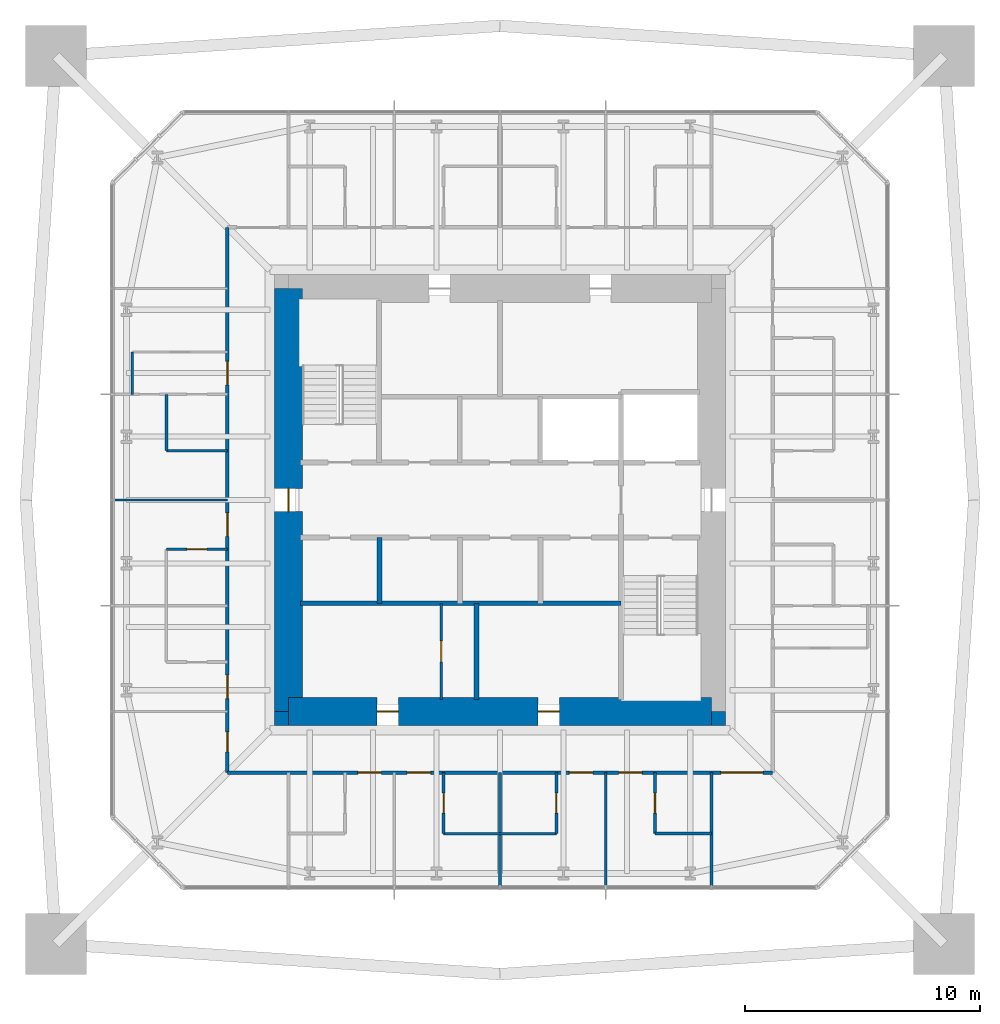
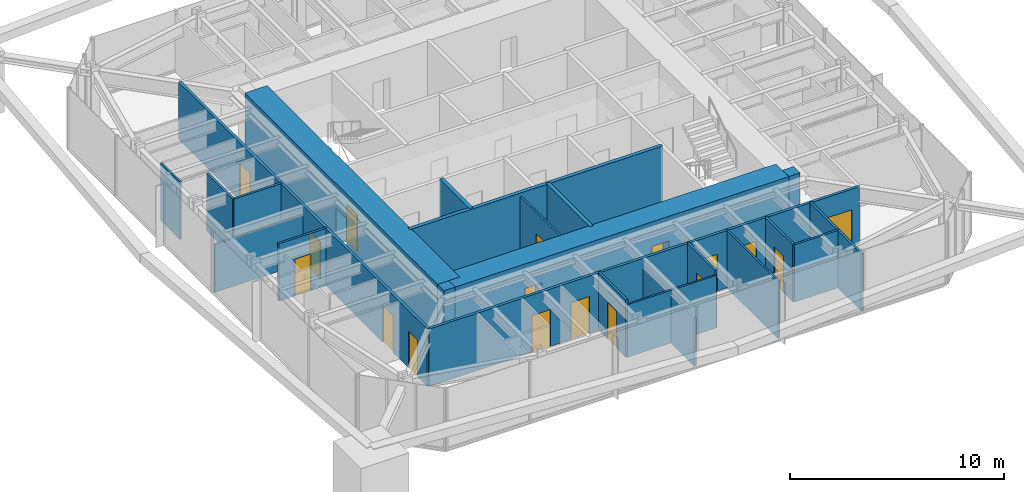
# One storey, part 7 of 11: 23 walls, 17 doors, 17 openings.
"""IFC4 building model written with IfcOpenShell, lengths in metres."""

from ifc_helpers import new_model, si_unit, direction, frame, frame_2d, origin, place, context, subcontext, project, spatial, rectangle, extrude, material, layer, layer_set, type_object, element, fill, save


model = new_model("IFC4")

# Units and contexts
model_context = context("Model", 3, precision=1e-05, world=origin(), true_north=direction((0.0, 1.0)))
body_context = subcontext(model_context, "Body", "Model", "MODEL_VIEW")
ifc_project = project(units=[si_unit("LENGTHUNIT", "METRE"), si_unit("AREAUNIT", "SQUARE_METRE"), si_unit("VOLUMEUNIT", "CUBIC_METRE"), si_unit("PLANEANGLEUNIT", "RADIAN"), si_unit("MASSUNIT", "GRAM", prefix="KILO")], contexts=[model_context])

# Site, building, storey
site_placement = place(None, origin())
site = spatial("IfcSite", under=ifc_project, at=site_placement, CompositionType="ELEMENT")
building_placement = place(site_placement, origin())
building = spatial("IfcBuilding", under=site, at=building_placement, Name="Iwan Alto Co-Living Towers", CompositionType="ELEMENT")
storey_placement = place(building_placement, frame((0.0, 0.0, 222.0)))
storey = spatial("IfcBuildingStorey", under=building, at=storey_placement, Name="L60", CompositionType="ELEMENT", Elevation=222.0)

# Wall, openings, doors
ifc_material_1 = material(Name="Gypsum board")
ifc_layer_1 = layer(ifc_material_1, 0.02490234375, Name="Board", Category="Finish")
ifc_material_2 = material(Name="Steel ASTM A1003 ST33H cold-formed studs", Category="steel")
ifc_layer_2 = layer(ifc_material_2, 0.10009765625, Name="Studs", Category="Framing")
ifc_layer_3 = layer(ifc_material_1, 0.02490234375, Name="Board", Category="Finish")
ifc_layer_set_1 = layer_set([ifc_layer_1, ifc_layer_2, ifc_layer_3], Name="CORRIDOR WALL 150")
wall_type_1 = type_object("IfcWallType", Name="CORRIDOR WALL 150", PredefinedType="PARTITIONING", material=ifc_layer_set_1)
wall_1_placement = place(storey_placement, frame((-11.60009765625, -11.60009765625, 0.0), z_axis=(0.0, 0.0, 1.0), x_axis=(1.0, 0.0, 0.0)))
wall_1 = element("IfcWall", 1, at=wall_1_placement, inside=storey, type_object=wall_type_1, Name="Partition L60", PredefinedType="PARTITIONING", context=body_context, shape_type="SweptSolid", body=[
    extrude(rectangle(XDim=23.2001953125, YDim=0.14990234375, at=frame_2d((11.60009765625, 0.0))), origin(), (0.0, 0.0, 1.0), 3.27001953125),
])
opening_1_placement = place(wall_1_placement, frame((5.550048828125, 0.0, 0.0)))
opening_1 = element("IfcOpeningElement", 2, at=opening_1_placement, cuts=wall_1, Name="Opening D3", PredefinedType="OPENING", context=body_context, shape_type="SweptSolid", body=[
    extrude(rectangle(XDim=1.0, YDim=2.10009765625, at=frame_2d((0.5, 1.050048828125))), frame((0.0, 0.0849609375, 0.0), z_axis=(0.0, -1.0, 0.0), x_axis=(1.0, 0.0, 0.0)), (0.0, 0.0, 1.0), 0.169921875),
])
opening_2_placement = place(wall_1_placement, frame((7.64990234375, 0.0, 0.0)))
opening_2 = element("IfcOpeningElement", 3, at=opening_2_placement, cuts=wall_1, Name="Opening D3", PredefinedType="OPENING", context=body_context, shape_type="SweptSolid", body=[
    extrude(rectangle(XDim=1.0, YDim=2.10009765625, at=frame_2d((0.5, 1.050048828125))), frame((0.0, 0.0849609375, 0.0), z_axis=(0.0, -1.0, 0.0), x_axis=(1.0, 0.0, 0.0)), (0.0, 0.0, 1.0), 0.169921875),
])
opening_3_placement = place(wall_1_placement, frame((14.550048828125, 0.0, 0.0)))
opening_3 = element("IfcOpeningElement", 4, at=opening_3_placement, cuts=wall_1, Name="Opening D3", PredefinedType="OPENING", context=body_context, shape_type="SweptSolid", body=[
    extrude(rectangle(XDim=1.0, YDim=2.10009765625, at=frame_2d((0.5, 1.050048828125))), frame((0.0, 0.0849609375, 0.0), z_axis=(0.0, -1.0, 0.0), x_axis=(1.0, 0.0, 0.0)), (0.0, 0.0, 1.0), 0.169921875),
])
opening_4_placement = place(wall_1_placement, frame((16.64990234375, 0.0, 0.0)))
opening_4 = element("IfcOpeningElement", 5, at=opening_4_placement, cuts=wall_1, Name="Opening D3", PredefinedType="OPENING", context=body_context, shape_type="SweptSolid", body=[
    extrude(rectangle(XDim=1.0, YDim=2.10009765625, at=frame_2d((0.5, 1.050048828125))), frame((0.0, 0.0849609375, 0.0), z_axis=(0.0, -1.0, 0.0), x_axis=(1.0, 0.0, 0.0)), (0.0, 0.0, 1.0), 0.169921875),
])
opening_5_placement = place(wall_1_placement, frame((21.0, 0.0, 0.0)))
opening_5 = element("IfcOpeningElement", 6, at=opening_5_placement, cuts=wall_1, Name="Opening D9", PredefinedType="OPENING", context=body_context, shape_type="SweptSolid", body=[
    extrude(rectangle(XDim=1.800048828125, YDim=2.10009765625, at=frame_2d((0.89990234375, 1.050048828125))), frame((0.0, 0.0849609375, 0.0), z_axis=(0.0, -1.0, 0.0), x_axis=(1.0, 0.0, 0.0)), (0.0, 0.0, 1.0), 0.169921875),
])
ifc_material_3 = material(Name="Steel frame with timber leaf", Category="steel")
door_type_1 = type_object("IfcDoorType", Name="FLAT ENTRANCE DOOR FD30S 1000X2100", OperationType="SINGLE_SWING_LEFT", PredefinedType="DOOR", material=ifc_material_3)
door_1_placement = place(opening_1_placement, frame((1.0, 0.0, 0.0), z_axis=(0.0, 0.0, 1.0), x_axis=(-1.0, 0.0, 0.0)))
door_1 = element("IfcDoor", 7, at=door_1_placement, inside=storey, type_object=door_type_1, Name="Studio door L60", OperationType="SINGLE_SWING_RIGHT", OverallHeight=2.10009765625, OverallWidth=1.0, PredefinedType="DOOR", context=body_context, shape_type="SweptSolid", body=[
    extrude(rectangle(XDim=1.0, YDim=2.10009765625, at=frame_2d((0.5, 1.050048828125))), frame((0.0, 0.02490234375, 0.0), z_axis=(0.0, -1.0, 0.0), x_axis=(1.0, 0.0, 0.0)), (0.0, 0.0, 1.0), 0.050048828125),
])
fill(opening_1, door_1)
door_2_placement = place(opening_2_placement, frame((1.0, 0.0, 0.0), z_axis=(0.0, 0.0, 1.0), x_axis=(-1.0, 0.0, 0.0)))
door_2 = element("IfcDoor", 8, at=door_2_placement, inside=storey, type_object=door_type_1, Name="Studio door L60", OperationType="SINGLE_SWING_RIGHT", OverallHeight=2.10009765625, OverallWidth=1.0, PredefinedType="DOOR", context=body_context, shape_type="SweptSolid", body=[
    extrude(rectangle(XDim=1.0, YDim=2.10009765625, at=frame_2d((0.5, 1.050048828125))), frame((0.0, 0.02490234375, 0.0), z_axis=(0.0, -1.0, 0.0), x_axis=(1.0, 0.0, 0.0)), (0.0, 0.0, 1.0), 0.050048828125),
])
fill(opening_2, door_2)
door_3_placement = place(opening_3_placement, frame((1.0, 0.0, 0.0), z_axis=(0.0, 0.0, 1.0), x_axis=(-1.0, 0.0, 0.0)))
door_3 = element("IfcDoor", 9, at=door_3_placement, inside=storey, type_object=door_type_1, Name="Studio door L60", OperationType="SINGLE_SWING_RIGHT", OverallHeight=2.10009765625, OverallWidth=1.0, PredefinedType="DOOR", context=body_context, shape_type="SweptSolid", body=[
    extrude(rectangle(XDim=1.0, YDim=2.10009765625, at=frame_2d((0.5, 1.050048828125))), frame((0.0, 0.02490234375, 0.0), z_axis=(0.0, -1.0, 0.0), x_axis=(1.0, 0.0, 0.0)), (0.0, 0.0, 1.0), 0.050048828125),
])
fill(opening_3, door_3)
door_4_placement = place(opening_4_placement, frame((1.0, 0.0, 0.0), z_axis=(0.0, 0.0, 1.0), x_axis=(-1.0, 0.0, 0.0)))
door_4 = element("IfcDoor", 10, at=door_4_placement, inside=storey, type_object=door_type_1, Name="Studio door L60", OperationType="SINGLE_SWING_RIGHT", OverallHeight=2.10009765625, OverallWidth=1.0, PredefinedType="DOOR", context=body_context, shape_type="SweptSolid", body=[
    extrude(rectangle(XDim=1.0, YDim=2.10009765625, at=frame_2d((0.5, 1.050048828125))), frame((0.0, 0.02490234375, 0.0), z_axis=(0.0, -1.0, 0.0), x_axis=(1.0, 0.0, 0.0)), (0.0, 0.0, 1.0), 0.050048828125),
])
fill(opening_4, door_4)
ifc_material_4 = material(Name="Steel frame with timber leaf", Category="steel")
door_type_2 = type_object("IfcDoorType", Name="LOUNGE DOOR FD30S 1800X2100", OperationType="DOUBLE_DOOR_SINGLE_SWING", PredefinedType="DOOR", material=ifc_material_4)
door_5_placement = place(opening_5_placement, frame((1.800048828125, 0.0, 0.0), z_axis=(0.0, 0.0, 1.0), x_axis=(-1.0, 0.0, 0.0)))
door_5 = element("IfcDoor", 11, at=door_5_placement, inside=storey, type_object=door_type_2, Name="Courtyard lounge door L60", OperationType="DOUBLE_DOOR_SINGLE_SWING", OverallHeight=2.10009765625, OverallWidth=1.800048828125, PredefinedType="DOOR", context=body_context, shape_type="SweptSolid", body=[
    extrude(rectangle(XDim=1.800048828125, YDim=2.10009765625, at=frame_2d((0.89990234375, 1.050048828125))), frame((0.0, 0.02490234375, 0.0), z_axis=(0.0, -1.0, 0.0), x_axis=(1.0, 0.0, 0.0)), (0.0, 0.0, 1.0), 0.050048828125),
])
fill(opening_5, door_5)

wall_2_placement = place(storey_placement, frame((-11.60009765625, -11.60009765625, 0.0), z_axis=(0.0, 0.0, 1.0), x_axis=(0.0, 1.0, 0.0)))
wall_2 = element("IfcWall", 12, at=wall_2_placement, inside=storey, type_object=wall_type_1, Name="Partition L60", PredefinedType="PARTITIONING", context=body_context, shape_type="SweptSolid", body=[
    extrude(rectangle(XDim=23.2001953125, YDim=0.14990234375, at=frame_2d((11.60009765625, 0.0))), origin(), (0.0, 0.0, 1.0), 3.27001953125),
])
opening_6_placement = place(wall_2_placement, frame((16.5, 0.0, 0.0)))
opening_6 = element("IfcOpeningElement", 13, at=opening_6_placement, cuts=wall_2, Name="Opening D3", PredefinedType="OPENING", context=body_context, shape_type="SweptSolid", body=[
    extrude(rectangle(XDim=1.0, YDim=2.10009765625, at=frame_2d((0.5, 1.050048828125))), frame((0.0, 0.0849609375, 0.0), z_axis=(0.0, -1.0, 0.0), x_axis=(1.0, 0.0, 0.0)), (0.0, 0.0, 1.0), 0.169921875),
])
opening_7_placement = place(wall_2_placement, frame((10.050048828125, 0.0, 0.0)))
opening_7 = element("IfcOpeningElement", 14, at=opening_7_placement, cuts=wall_2, Name="Opening D3", PredefinedType="OPENING", context=body_context, shape_type="SweptSolid", body=[
    extrude(rectangle(XDim=1.0, YDim=2.10009765625, at=frame_2d((0.5, 1.050048828125))), frame((0.0, 0.0849609375, 0.0), z_axis=(0.0, -1.0, 0.0), x_axis=(1.0, 0.0, 0.0)), (0.0, 0.0, 1.0), 0.169921875),
])
opening_8_placement = place(wall_2_placement, frame((3.14990234375, 0.0, 0.0)))
opening_8 = element("IfcOpeningElement", 15, at=opening_8_placement, cuts=wall_2, Name="Opening D3", PredefinedType="OPENING", context=body_context, shape_type="SweptSolid", body=[
    extrude(rectangle(XDim=1.0, YDim=2.10009765625, at=frame_2d((0.5, 1.050048828125))), frame((0.0, 0.0849609375, 0.0), z_axis=(0.0, -1.0, 0.0), x_axis=(1.0, 0.0, 0.0)), (0.0, 0.0, 1.0), 0.169921875),
])
opening_9_placement = place(wall_2_placement, frame((0.875, 0.0, 0.0)))
opening_9 = element("IfcOpeningElement", 16, at=opening_9_placement, cuts=wall_2, Name="Opening D2", PredefinedType="OPENING", context=body_context, shape_type="SweptSolid", body=[
    extrude(rectangle(XDim=0.85009765625, YDim=2.10009765625, at=frame_2d((0.425048828125, 1.050048828125))), frame((0.0, 0.0849609375, 0.0), z_axis=(0.0, -1.0, 0.0), x_axis=(1.0, 0.0, 0.0)), (0.0, 0.0, 1.0), 0.169921875),
])
door_6_placement = place(opening_6_placement, origin())
door_6 = element("IfcDoor", 17, at=door_6_placement, inside=storey, type_object=door_type_1, Name="Apartment foyer door L60", OperationType="SINGLE_SWING_LEFT", OverallHeight=2.10009765625, OverallWidth=1.0, PredefinedType="DOOR", context=body_context, shape_type="SweptSolid", body=[
    extrude(rectangle(XDim=1.0, YDim=2.10009765625, at=frame_2d((0.5, 1.050048828125))), frame((0.0, 0.02490234375, 0.0), z_axis=(0.0, -1.0, 0.0), x_axis=(1.0, 0.0, 0.0)), (0.0, 0.0, 1.0), 0.050048828125),
])
fill(opening_6, door_6)
door_7_placement = place(opening_7_placement, origin())
door_7 = element("IfcDoor", 18, at=door_7_placement, inside=storey, type_object=door_type_1, Name="Studio door L60", OperationType="SINGLE_SWING_LEFT", OverallHeight=2.10009765625, OverallWidth=1.0, PredefinedType="DOOR", context=body_context, shape_type="SweptSolid", body=[
    extrude(rectangle(XDim=1.0, YDim=2.10009765625, at=frame_2d((0.5, 1.050048828125))), frame((0.0, 0.02490234375, 0.0), z_axis=(0.0, -1.0, 0.0), x_axis=(1.0, 0.0, 0.0)), (0.0, 0.0, 1.0), 0.050048828125),
])
fill(opening_7, door_7)
door_8_placement = place(opening_8_placement, origin())
door_8 = element("IfcDoor", 19, at=door_8_placement, inside=storey, type_object=door_type_1, Name="Studio door L60", OperationType="SINGLE_SWING_LEFT", OverallHeight=2.10009765625, OverallWidth=1.0, PredefinedType="DOOR", context=body_context, shape_type="SweptSolid", body=[
    extrude(rectangle(XDim=1.0, YDim=2.10009765625, at=frame_2d((0.5, 1.050048828125))), frame((0.0, 0.02490234375, 0.0), z_axis=(0.0, -1.0, 0.0), x_axis=(1.0, 0.0, 0.0)), (0.0, 0.0, 1.0), 0.050048828125),
])
fill(opening_8, door_8)
ifc_material_5 = material(Name="Timber leaf in steel frame", Category="steel")
door_type_3 = type_object("IfcDoorType", Name="ROOM DOOR 850X2100", OperationType="SINGLE_SWING_LEFT", PredefinedType="DOOR", material=ifc_material_5)
door_9_placement = place(opening_9_placement, origin())
door_9 = element("IfcDoor", 20, at=door_9_placement, inside=storey, type_object=door_type_3, Name="Shared kitchen and lounge door L60", OperationType="SINGLE_SWING_RIGHT", OverallHeight=2.10009765625, OverallWidth=0.85009765625, PredefinedType="DOOR", context=body_context, shape_type="SweptSolid", body=[
    extrude(rectangle(XDim=0.85009765625, YDim=2.10009765625, at=frame_2d((0.425048828125, 1.050048828125))), frame((0.0, 0.02490234375, 0.0), z_axis=(0.0, -1.0, 0.0), x_axis=(1.0, 0.0, 0.0)), (0.0, 0.0, 1.0), 0.050048828125),
])
fill(opening_9, door_9)

# Walls
ifc_layer_4 = layer(ifc_material_1, 0.012451171875, Name="Board", Category="Finish")
ifc_layer_5 = layer(ifc_material_2, 0.074951171875, Name="Studs", Category="Framing")
ifc_layer_6 = layer(ifc_material_1, 0.012451171875, Name="Board", Category="Finish")
ifc_layer_set_2 = layer_set([ifc_layer_4, ifc_layer_5, ifc_layer_6], Name="PARTITION 100")
wall_type_2 = type_object("IfcWallType", Name="PARTITION 100", PredefinedType="PARTITIONING", material=ifc_layer_set_2)
wall_3_placement = place(storey_placement, frame((-2.39990234375, -14.199951171875, 0.0), z_axis=(0.0, 0.0, 1.0), x_axis=(1.0, 0.0, 0.0)))
element("IfcWall", 21, at=wall_3_placement, inside=storey, type_object=wall_type_2, Name="Partition L60", PredefinedType="PARTITIONING", context=body_context, shape_type="SweptSolid", body=[
    extrude(rectangle(XDim=4.7998046875, YDim=0.10009765625, at=frame_2d((2.39990234375, 0.0))), origin(), (0.0, 0.0, 1.0), 3.0),
])
wall_4_placement = place(storey_placement, frame((-16.43994140625, 0.0, 0.0), z_axis=(0.0, 0.0, 1.0), x_axis=(1.0, 0.0, 0.0)))
element("IfcWall", 22, at=wall_4_placement, inside=storey, type_object=wall_type_2, Name="Partition L60", PredefinedType="PARTITIONING", context=body_context, shape_type="SweptSolid", body=[
    extrude(rectangle(XDim=4.83984375, YDim=0.10009765625, at=frame_2d((2.419921875, 0.0))), origin(), (0.0, 0.0, 1.0), 2.736572265625),
])
wall_5_placement = place(storey_placement, frame((4.5, -16.43994140625, 0.0), z_axis=(0.0, 0.0, 1.0), x_axis=(0.0, 1.0, 0.0)))
element("IfcWall", 23, at=wall_5_placement, inside=storey, type_object=wall_type_2, Name="Partition L60", PredefinedType="PARTITIONING", context=body_context, shape_type="SweptSolid", body=[
    extrude(rectangle(XDim=4.83984375, YDim=0.10009765625, at=frame_2d((2.419921875, 0.0))), origin(), (0.0, 0.0, 1.0), 3.27001953125),
])

# Wall, opening, door
wall_6_placement = place(storey_placement, frame((-2.5, -8.489990234375, 0.0), z_axis=(0.0, 0.0, 1.0), x_axis=(0.0, 1.0, 0.0)))
wall_6 = element("IfcWall", 24, at=wall_6_placement, inside=storey, type_object=wall_type_2, Name="Partition L60", PredefinedType="PARTITIONING", context=body_context, shape_type="SweptSolid", body=[
    extrude(rectangle(XDim=4.090087890625, YDim=0.10009765625, at=frame_2d((2.044921875, 0.0))), origin(), (0.0, 0.0, 1.0), 3.300048828125),
])
opening_10_placement = place(wall_6_placement, frame((1.594970703125, 0.0, 0.0)))
opening_10 = element("IfcOpeningElement", 25, at=opening_10_placement, cuts=wall_6, Name="Opening D16", PredefinedType="OPENING", context=body_context, shape_type="SweptSolid", body=[
    extrude(rectangle(XDim=0.89990234375, YDim=2.10009765625, at=frame_2d((0.449951171875, 1.050048828125))), frame((0.0, 0.06005859375, 0.0), z_axis=(0.0, -1.0, 0.0), x_axis=(1.0, 0.0, 0.0)), (0.0, 0.0, 1.0), 0.1201171875),
])
ifc_material_6 = material(Name="Timber leaf in steel frame", Category="steel")
door_type_4 = type_object("IfcDoorType", Name="CUPBOARD SLIDING DOOR 900X2100", OperationType="SLIDING_TO_LEFT", PredefinedType="DOOR", material=ifc_material_6)
door_10_placement = place(opening_10_placement, origin())
door_10 = element("IfcDoor", 26, at=door_10_placement, inside=storey, type_object=door_type_4, Name="Cleaner's store door L60", OperationType="SLIDING_TO_LEFT", OverallHeight=2.10009765625, OverallWidth=0.89990234375, PredefinedType="DOOR", context=body_context, shape_type="SweptSolid", body=[
    extrude(rectangle(XDim=0.89990234375, YDim=2.10009765625, at=frame_2d((0.449951171875, 1.050048828125))), frame((0.0, 0.02490234375, 0.0), z_axis=(0.0, -1.0, 0.0), x_axis=(1.0, 0.0, 0.0)), (0.0, 0.0, 1.0), 0.050048828125),
])
fill(opening_10, door_10)

# Walls
wall_7_placement = place(storey_placement, frame((-15.64990234375, 4.5, 0.0), z_axis=(0.0, 0.0, 1.0), x_axis=(0.0, 1.0, 0.0)))
element("IfcWall", 27, at=wall_7_placement, inside=storey, type_object=wall_type_2, Name="Partition L60", PredefinedType="PARTITIONING", context=body_context, shape_type="SweptSolid", body=[
    extrude(rectangle(XDim=1.800048828125, YDim=0.10009765625, at=frame_2d((0.89990234375, 0.0))), origin(), (0.0, 0.0, 1.0), 3.27001953125),
])
ifc_material_7 = material(Name="Concrete f'c 70 MPa", Category="concrete")
ifc_layer_7 = layer(ifc_material_7, 0.199951171875)
ifc_layer_set_3 = layer_set([ifc_layer_7], Name="SHAFT WALL 200")
wall_type_3 = type_object("IfcWallType", Name="SHAFT WALL 200", PredefinedType="SOLIDWALL", material=ifc_layer_set_3)
wall_8_placement = place(storey_placement, frame((-8.489990234375, -4.39990234375, 0.0), z_axis=(0.0, 0.0, 1.0), x_axis=(1.0, 0.0, 0.0)))
element("IfcWall", 28, at=wall_8_placement, inside=storey, type_object=wall_type_3, Name="Shaft wall L60", PredefinedType="SOLIDWALL", context=body_context, shape_type="SweptSolid", body=[
    extrude(rectangle(XDim=13.639892578125, YDim=0.199951171875, at=frame_2d((6.81982421875, 0.0))), origin(), (0.0, 0.0, 1.0), 3.5),
])
wall_9_placement = place(storey_placement, frame((-1.0, -8.489990234375, 0.0), z_axis=(0.0, 0.0, 1.0), x_axis=(0.0, 1.0, 0.0)))
element("IfcWall", 29, at=wall_9_placement, inside=storey, type_object=wall_type_3, Name="Shaft wall L60", PredefinedType="SOLIDWALL", context=body_context, shape_type="SweptSolid", body=[
    extrude(rectangle(XDim=4.090087890625, YDim=0.199951171875, at=frame_2d((2.044921875, 0.0))), origin(), (0.0, 0.0, 1.0), 3.5),
])
wall_10_placement = place(storey_placement, frame((-5.125, -4.39990234375, 0.0), z_axis=(0.0, 0.0, 1.0), x_axis=(0.0, 1.0, 0.0)))
element("IfcWall", 30, at=wall_10_placement, inside=storey, type_object=wall_type_3, Name="Shaft wall L60", PredefinedType="SOLIDWALL", context=body_context, shape_type="SweptSolid", body=[
    extrude(rectangle(XDim=2.7998046875, YDim=0.199951171875, at=frame_2d((1.39990234375, 0.0))), origin(), (0.0, 0.0, 1.0), 3.5),
])
ifc_material_8 = material(Name="Concrete f'c 70 MPa", Category="concrete")
ifc_layer_8 = layer(ifc_material_8, 0.60009765625)
ifc_layer_set_4 = layer_set([ifc_layer_8], Name="T1 CORE CORNER FILL 600")
wall_type_4 = type_object("IfcWallType", Name="T1 CORE CORNER FILL 600", PredefinedType="SOLIDWALL", material=ifc_layer_set_4)
for number, where, z_axis, x_axis, name in (
    (31, (-9.60009765625, -9.300048828125, 0.0), (0.0, 0.0, 1.0), (1.0, 0.0, 0.0), "T1 core corner SW L60"),
    (32, (9.0, -9.300048828125, 0.0), (0.0, 0.0, 1.0), (1.0, 0.0, 0.0), "T1 core corner SE L60"),
):
    element("IfcWall", number, at=place(storey_placement, frame(where, z_axis=z_axis, x_axis=x_axis)), inside=storey, type_object=wall_type_4, Name=name, PredefinedType="SOLIDWALL", context=body_context, shape_type="SweptSolid", body=[
        extrude(rectangle(XDim=0.60009765625, YDim=0.60009765625, at=frame_2d((0.300048828125, 0.0))), origin(), (0.0, 0.0, 1.0), 3.5),
    ])

# Wall, openings, doors
ifc_material_9 = material(Name="Concrete f'c 70 MPa", Category="concrete")
ifc_layer_9 = layer(ifc_material_9, 1.199951171875)
ifc_layer_set_5 = layer_set([ifc_layer_9], Name="T1 CORE WALL 1200")
wall_type_5 = type_object("IfcWallType", Name="T1 CORE WALL 1200", PredefinedType="SHEAR", material=ifc_layer_set_5)
wall_11_placement = place(storey_placement, frame((-9.0, -9.0, 0.0), z_axis=(0.0, 0.0, 1.0), x_axis=(1.0, 0.0, 0.0)))
wall_11 = element("IfcWall", 33, at=wall_11_placement, inside=storey, type_object=wall_type_5, Name="T1 core wall S L60", PredefinedType="SHEAR", context=body_context, shape_type="SweptSolid", body=[
    extrude(rectangle(XDim=18.0, YDim=1.199951171875, at=frame_2d((9.0, 0.0))), origin(), (0.0, 0.0, 1.0), 3.5),
])
opening_11_placement = place(wall_11_placement, frame((3.77490234375, 0.0, 0.0)))
opening_11 = element("IfcOpeningElement", 34, at=opening_11_placement, cuts=wall_11, Name="Opening D8", PredefinedType="OPENING", context=body_context, shape_type="SweptSolid", body=[
    extrude(rectangle(XDim=0.89990234375, YDim=2.10009765625, at=frame_2d((0.449951171875, 1.050048828125))), frame((0.0, 0.60986328125, 0.0), z_axis=(0.0, -1.0, 0.0), x_axis=(1.0, 0.0, 0.0)), (0.0, 0.0, 1.0), 1.219970703125),
])
opening_12_placement = place(wall_11_placement, frame((10.625, 0.0, 0.0)))
opening_12 = element("IfcOpeningElement", 35, at=opening_12_placement, cuts=wall_11, Name="Opening D8", PredefinedType="OPENING", context=body_context, shape_type="SweptSolid", body=[
    extrude(rectangle(XDim=0.89990234375, YDim=2.10009765625, at=frame_2d((0.449951171875, 1.050048828125))), frame((0.0, 0.60986328125, 0.0), z_axis=(0.0, -1.0, 0.0), x_axis=(1.0, 0.0, 0.0)), (0.0, 0.0, 1.0), 1.219970703125),
])
ifc_material_10 = material(Name="Steel frame with timber leaf", Category="steel")
door_type_5 = type_object("IfcDoorType", Name="RISER DOOR FD120 900X2100", OperationType="SINGLE_SWING_LEFT", PredefinedType="DOOR", material=ifc_material_10)
door_11_placement = place(opening_11_placement, origin())
door_11 = element("IfcDoor", 36, at=door_11_placement, inside=storey, type_object=door_type_5, Name="Refuse room core door L60", OperationType="SINGLE_SWING_RIGHT", OverallHeight=2.10009765625, OverallWidth=0.89990234375, PredefinedType="DOOR", context=body_context, shape_type="SweptSolid", body=[
    extrude(rectangle(XDim=0.89990234375, YDim=2.10009765625, at=frame_2d((0.449951171875, 1.050048828125))), frame((0.0, 0.02490234375, 0.0), z_axis=(0.0, -1.0, 0.0), x_axis=(1.0, 0.0, 0.0)), (0.0, 0.0, 1.0), 0.050048828125),
])
fill(opening_11, door_11)
door_12_placement = place(opening_12_placement, origin())
door_12 = element("IfcDoor", 37, at=door_12_placement, inside=storey, type_object=door_type_5, Name="Telecom riser core door L60", OperationType="SINGLE_SWING_LEFT", OverallHeight=2.10009765625, OverallWidth=0.89990234375, PredefinedType="DOOR", context=body_context, shape_type="SweptSolid", body=[
    extrude(rectangle(XDim=0.89990234375, YDim=2.10009765625, at=frame_2d((0.449951171875, 1.050048828125))), frame((0.0, 0.02490234375, 0.0), z_axis=(0.0, -1.0, 0.0), x_axis=(1.0, 0.0, 0.0)), (0.0, 0.0, 1.0), 0.050048828125),
])
fill(opening_12, door_12)

# Wall, opening, door
wall_12_placement = place(storey_placement, frame((-9.0, 9.0, 0.0), z_axis=(0.0, 0.0, 1.0), x_axis=(0.0, -1.0, 0.0)))
wall_12 = element("IfcWall", 38, at=wall_12_placement, inside=storey, type_object=wall_type_5, Name="T1 core wall W L60", PredefinedType="SHEAR", context=body_context, shape_type="SweptSolid", body=[
    extrude(rectangle(XDim=18.0, YDim=1.199951171875, at=frame_2d((9.0, 0.0))), origin(), (0.0, 0.0, 1.0), 3.5),
])
opening_13_placement = place(wall_12_placement, frame((8.5, 0.0, 0.0)))
opening_13 = element("IfcOpeningElement", 39, at=opening_13_placement, cuts=wall_12, Name="Opening D7", PredefinedType="OPENING", context=body_context, shape_type="SweptSolid", body=[
    extrude(rectangle(XDim=1.0, YDim=2.10009765625, at=frame_2d((0.5, 1.050048828125))), frame((0.0, 0.60986328125, 0.0), z_axis=(0.0, -1.0, 0.0), x_axis=(1.0, 0.0, 0.0)), (0.0, 0.0, 1.0), 1.219970703125),
])
ifc_material_11 = material(Name="Steel frame with timber leaf", Category="steel")
door_type_6 = type_object("IfcDoorType", Name="CORE DOOR FD120S 1000X2100", OperationType="SINGLE_SWING_LEFT", PredefinedType="DOOR", material=ifc_material_11)
door_13_placement = place(opening_13_placement, origin())
door_13 = element("IfcDoor", 40, at=door_13_placement, inside=storey, type_object=door_type_6, Name="Lift lobby core door L60", OperationType="SINGLE_SWING_RIGHT", OverallHeight=2.10009765625, OverallWidth=1.0, PredefinedType="DOOR", context=body_context, shape_type="SweptSolid", body=[
    extrude(rectangle(XDim=1.0, YDim=2.10009765625, at=frame_2d((0.5, 1.050048828125))), frame((0.0, 0.02490234375, 0.0), z_axis=(0.0, -1.0, 0.0), x_axis=(1.0, 0.0, 0.0)), (0.0, 0.0, 1.0), 0.050048828125),
])
fill(opening_13, door_13)

# Wall
ifc_material_12 = material(Name="Cement board")
ifc_layer_10 = layer(ifc_material_12, 0.012451171875, Name="Board", Category="Finish")
ifc_layer_11 = layer(ifc_material_2, 0.094970703125, Name="Studs", Category="Framing")
ifc_layer_12 = layer(ifc_material_12, 0.012451171875, Name="Board", Category="Finish")
ifc_layer_set_6 = layer_set([ifc_layer_10, ifc_layer_11, ifc_layer_12], Name="WET AREA PARTITION 120")
wall_type_6 = type_object("IfcWallType", Name="WET AREA PARTITION 120", PredefinedType="PARTITIONING", material=ifc_layer_set_6)
wall_13_placement = place(storey_placement, frame((6.60009765625, -14.199951171875, 0.0), z_axis=(0.0, 0.0, 1.0), x_axis=(1.0, 0.0, 0.0)))
element("IfcWall", 41, at=wall_13_placement, inside=storey, type_object=wall_type_6, Name="Partition L60", PredefinedType="PARTITIONING", context=body_context, shape_type="SweptSolid", body=[
    extrude(rectangle(XDim=2.39990234375, YDim=0.1201171875, at=frame_2d((1.199951171875, 0.0))), origin(), (0.0, 0.0, 1.0), 3.27001953125),
])

# Wall, opening, door
wall_14_placement = place(storey_placement, frame((-14.199951171875, -2.10009765625, 0.0), z_axis=(0.0, 0.0, 1.0), x_axis=(1.0, 0.0, 0.0)))
wall_14 = element("IfcWall", 42, at=wall_14_placement, inside=storey, type_object=wall_type_6, Name="Partition L60", PredefinedType="PARTITIONING", context=body_context, shape_type="SweptSolid", body=[
    extrude(rectangle(XDim=2.599853515625, YDim=0.1201171875, at=frame_2d((1.2998046875, 0.0))), origin(), (0.0, 0.0, 1.0), 3.27001953125),
])
opening_14_placement = place(wall_14_placement, frame((0.875, 0.0, 0.0)))
opening_14 = element("IfcOpeningElement", 43, at=opening_14_placement, cuts=wall_14, Name="Opening D2", PredefinedType="OPENING", context=body_context, shape_type="SweptSolid", body=[
    extrude(rectangle(XDim=0.85009765625, YDim=2.10009765625, at=frame_2d((0.425048828125, 1.050048828125))), frame((0.0, 0.070068359375, 0.0), z_axis=(0.0, -1.0, 0.0), x_axis=(1.0, 0.0, 0.0)), (0.0, 0.0, 1.0), 0.14013671875),
])
door_14_placement = place(opening_14_placement, origin())
door_14 = element("IfcDoor", 44, at=door_14_placement, inside=storey, type_object=door_type_3, Name="En-suite shower room door L60", OperationType="SINGLE_SWING_RIGHT", OverallHeight=2.10009765625, OverallWidth=0.85009765625, PredefinedType="DOOR", context=body_context, shape_type="SweptSolid", body=[
    extrude(rectangle(XDim=0.85009765625, YDim=2.10009765625, at=frame_2d((0.425048828125, 1.050048828125))), frame((0.0, 0.02490234375, 0.0), z_axis=(0.0, -1.0, 0.0), x_axis=(1.0, 0.0, 0.0)), (0.0, 0.0, 1.0), 0.050048828125),
])
fill(opening_14, door_14)

# Walls
wall_15_placement = place(storey_placement, frame((-14.199951171875, 2.10009765625, 0.0), z_axis=(0.0, 0.0, 1.0), x_axis=(1.0, 0.0, 0.0)))
element("IfcWall", 45, at=wall_15_placement, inside=storey, type_object=wall_type_6, Name="Partition L60", PredefinedType="PARTITIONING", context=body_context, shape_type="SweptSolid", body=[
    extrude(rectangle(XDim=2.599853515625, YDim=0.1201171875, at=frame_2d((1.2998046875, 0.0))), origin(), (0.0, 0.0, 1.0), 3.27001953125),
])
wall_16_placement = place(storey_placement, frame((9.0, -16.43994140625, 0.0), z_axis=(0.0, 0.0, 1.0), x_axis=(0.0, 1.0, 0.0)))
element("IfcWall", 46, at=wall_16_placement, inside=storey, type_object=wall_type_6, Name="Partition L60", PredefinedType="PARTITIONING", context=body_context, shape_type="SweptSolid", body=[
    extrude(rectangle(XDim=4.83984375, YDim=0.1201171875, at=frame_2d((2.419921875, 0.0))), origin(), (0.0, 0.0, 1.0), 3.27001953125),
])

# Wall, opening, door
wall_17_placement = place(storey_placement, frame((6.60009765625, -14.199951171875, 0.0), z_axis=(0.0, 0.0, 1.0), x_axis=(0.0, 1.0, 0.0)))
wall_17 = element("IfcWall", 47, at=wall_17_placement, inside=storey, type_object=wall_type_6, Name="Partition L60", PredefinedType="PARTITIONING", context=body_context, shape_type="SweptSolid", body=[
    extrude(rectangle(XDim=2.599853515625, YDim=0.1201171875, at=frame_2d((1.2998046875, 0.0))), origin(), (0.0, 0.0, 1.0), 3.27001953125),
])
opening_15_placement = place(wall_17_placement, frame((0.875, 0.0, 0.0)))
opening_15 = element("IfcOpeningElement", 48, at=opening_15_placement, cuts=wall_17, Name="Opening D2", PredefinedType="OPENING", context=body_context, shape_type="SweptSolid", body=[
    extrude(rectangle(XDim=0.85009765625, YDim=2.10009765625, at=frame_2d((0.425048828125, 1.050048828125))), frame((0.0, 0.070068359375, 0.0), z_axis=(0.0, -1.0, 0.0), x_axis=(1.0, 0.0, 0.0)), (0.0, 0.0, 1.0), 0.14013671875),
])
door_15_placement = place(opening_15_placement, origin())
door_15 = element("IfcDoor", 49, at=door_15_placement, inside=storey, type_object=door_type_3, Name="En-suite shower room door L60", OperationType="SINGLE_SWING_RIGHT", OverallHeight=2.10009765625, OverallWidth=0.85009765625, PredefinedType="DOOR", context=body_context, shape_type="SweptSolid", body=[
    extrude(rectangle(XDim=0.85009765625, YDim=2.10009765625, at=frame_2d((0.425048828125, 1.050048828125))), frame((0.0, 0.02490234375, 0.0), z_axis=(0.0, -1.0, 0.0), x_axis=(1.0, 0.0, 0.0)), (0.0, 0.0, 1.0), 0.050048828125),
])
fill(opening_15, door_15)

wall_18_placement = place(storey_placement, frame((2.39990234375, -14.199951171875, 0.0), z_axis=(0.0, 0.0, 1.0), x_axis=(0.0, 1.0, 0.0)))
wall_18 = element("IfcWall", 50, at=wall_18_placement, inside=storey, type_object=wall_type_6, Name="Partition L60", PredefinedType="PARTITIONING", context=body_context, shape_type="SweptSolid", body=[
    extrude(rectangle(XDim=2.599853515625, YDim=0.1201171875, at=frame_2d((1.2998046875, 0.0))), origin(), (0.0, 0.0, 1.0), 3.27001953125),
])
opening_16_placement = place(wall_18_placement, frame((0.875, 0.0, 0.0)))
opening_16 = element("IfcOpeningElement", 51, at=opening_16_placement, cuts=wall_18, Name="Opening D2", PredefinedType="OPENING", context=body_context, shape_type="SweptSolid", body=[
    extrude(rectangle(XDim=0.85009765625, YDim=2.10009765625, at=frame_2d((0.425048828125, 1.050048828125))), frame((0.0, 0.070068359375, 0.0), z_axis=(0.0, -1.0, 0.0), x_axis=(1.0, 0.0, 0.0)), (0.0, 0.0, 1.0), 0.14013671875),
])
door_16_placement = place(opening_16_placement, frame((0.85009765625, 0.0, 0.0), z_axis=(0.0, 0.0, 1.0), x_axis=(-1.0, 0.0, 0.0)))
door_16 = element("IfcDoor", 52, at=door_16_placement, inside=storey, type_object=door_type_3, Name="En-suite shower room door L60", OperationType="SINGLE_SWING_LEFT", OverallHeight=2.10009765625, OverallWidth=0.85009765625, PredefinedType="DOOR", context=body_context, shape_type="SweptSolid", body=[
    extrude(rectangle(XDim=0.85009765625, YDim=2.10009765625, at=frame_2d((0.425048828125, 1.050048828125))), frame((0.0, 0.02490234375, 0.0), z_axis=(0.0, -1.0, 0.0), x_axis=(1.0, 0.0, 0.0)), (0.0, 0.0, 1.0), 0.050048828125),
])
fill(opening_16, door_16)

# Wall
wall_19_placement = place(storey_placement, frame((0.0, -16.43994140625, 0.0), z_axis=(0.0, 0.0, 1.0), x_axis=(0.0, 1.0, 0.0)))
element("IfcWall", 53, at=wall_19_placement, inside=storey, type_object=wall_type_6, Name="Partition L60", PredefinedType="PARTITIONING", context=body_context, shape_type="SweptSolid", body=[
    extrude(rectangle(XDim=4.83984375, YDim=0.1201171875, at=frame_2d((2.419921875, 0.0))), origin(), (0.0, 0.0, 1.0), 2.736572265625),
])

# Wall, opening, door
wall_20_placement = place(storey_placement, frame((-2.39990234375, -14.199951171875, 0.0), z_axis=(0.0, 0.0, 1.0), x_axis=(0.0, 1.0, 0.0)))
wall_20 = element("IfcWall", 54, at=wall_20_placement, inside=storey, type_object=wall_type_6, Name="Partition L60", PredefinedType="PARTITIONING", context=body_context, shape_type="SweptSolid", body=[
    extrude(rectangle(XDim=2.599853515625, YDim=0.1201171875, at=frame_2d((1.2998046875, 0.0))), origin(), (0.0, 0.0, 1.0), 3.27001953125),
])
opening_17_placement = place(wall_20_placement, frame((0.875, 0.0, 0.0)))
opening_17 = element("IfcOpeningElement", 55, at=opening_17_placement, cuts=wall_20, Name="Opening D2", PredefinedType="OPENING", context=body_context, shape_type="SweptSolid", body=[
    extrude(rectangle(XDim=0.85009765625, YDim=2.10009765625, at=frame_2d((0.425048828125, 1.050048828125))), frame((0.0, 0.070068359375, 0.0), z_axis=(0.0, -1.0, 0.0), x_axis=(1.0, 0.0, 0.0)), (0.0, 0.0, 1.0), 0.14013671875),
])
door_17_placement = place(opening_17_placement, origin())
door_17 = element("IfcDoor", 56, at=door_17_placement, inside=storey, type_object=door_type_3, Name="En-suite shower room door L60", OperationType="SINGLE_SWING_RIGHT", OverallHeight=2.10009765625, OverallWidth=0.85009765625, PredefinedType="DOOR", context=body_context, shape_type="SweptSolid", body=[
    extrude(rectangle(XDim=0.85009765625, YDim=2.10009765625, at=frame_2d((0.425048828125, 1.050048828125))), frame((0.0, 0.02490234375, 0.0), z_axis=(0.0, -1.0, 0.0), x_axis=(1.0, 0.0, 0.0)), (0.0, 0.0, 1.0), 0.050048828125),
])
fill(opening_17, door_17)

# Wall
wall_21_placement = place(storey_placement, frame((-14.199951171875, 2.10009765625, 0.0), z_axis=(0.0, 0.0, 1.0), x_axis=(0.0, 1.0, 0.0)))
element("IfcWall", 57, at=wall_21_placement, inside=storey, type_object=wall_type_6, Name="Partition L60", PredefinedType="PARTITIONING", context=body_context, shape_type="SweptSolid", body=[
    extrude(rectangle(XDim=2.39990234375, YDim=0.1201171875, at=frame_2d((1.199951171875, 0.0))), origin(), (0.0, 0.0, 1.0), 3.27001953125),
])

save(model, "model.ifc")
